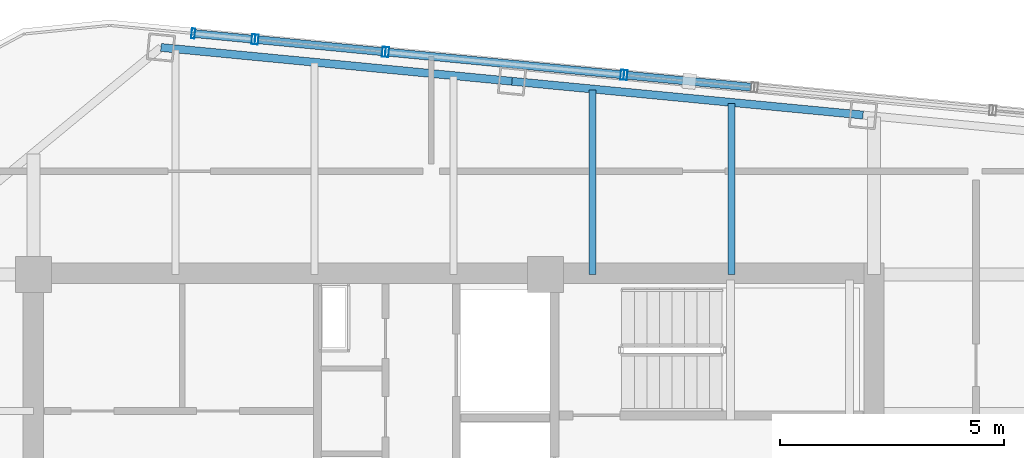
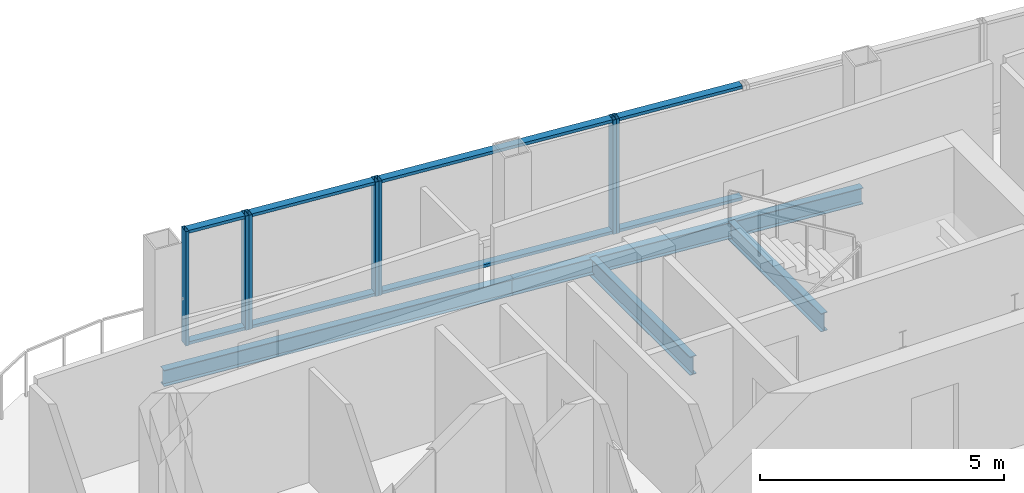
# One storey, part 17 of 26: 15 members, 4 beams, 4 elements without a shape of their own.
"""IFC4 building model written with IfcOpenShell, lengths in metres."""

from ifc_helpers import new_model, si_unit, direction, frame, origin, origin_2d, place, context, subcontext, project, spatial, hollow_rectangle, i_section, extrude, material, layer, layer_set, material_profile, profile_set, type_object, element, aggregate, save


model = new_model("IFC4")

# Units and contexts
model_context = context("Model", 3, precision=1e-05, world=origin(), true_north=direction((0.0, 1.0)))
body_context = subcontext(model_context, "Body", "Model", "MODEL_VIEW")
ifc_project = project(units=[si_unit("LENGTHUNIT", "METRE"), si_unit("AREAUNIT", "SQUARE_METRE"), si_unit("VOLUMEUNIT", "CUBIC_METRE"), si_unit("PLANEANGLEUNIT", "RADIAN"), si_unit("MASSUNIT", "GRAM", prefix="KILO")], contexts=[model_context])

# Site, building, storey
site_placement = place(None, origin())
site = spatial("IfcSite", under=ifc_project, at=site_placement, CompositionType="ELEMENT")
building_placement = place(site_placement, origin())
building = spatial("IfcBuilding", under=site, at=building_placement, Name="Qhalaya Broadcast Tower", CompositionType="ELEMENT")
storey_placement = place(building_placement, frame((0.0, 0.0, 248.949951171875)))
storey = spatial("IfcBuildingStorey", under=building, at=storey_placement, Name="L73", CompositionType="ELEMENT", Elevation=248.949951171875)

# Beams
ifc_material_1 = material(Name="Structural Steel ASTM A992 Grade 50", Category="steel")
ifc_material_profile_1 = material_profile(ifc_material_1, i_section(OverallWidth=0.154052734375, OverallDepth=0.458984375, WebThickness=0.009033203125, FlangeThickness=0.015380859375, at=origin_2d()), Name="W18X46")
ifc_profile_set_1 = profile_set([ifc_material_profile_1], Name="Structural Steel ASTM A992 Grade 50")
beam_type_1 = type_object("IfcBeamType", Name="Composite Floor Joist J04", PredefinedType="JOIST", material=ifc_profile_set_1)
beam_1_placement = place(storey_placement, frame((3.10009765625, 9.949951171875, -0.41943359375), z_axis=(0.0, 1.0, 0.0), x_axis=(-1.0, 0.0, 0.0)))
element("IfcBeam", 1, at=beam_1_placement, inside=storey, type_object=beam_type_1, Name="L73 J04 L73-JNN4-1", PredefinedType="JOIST", context=body_context, shape_type="SweptSolid", body=[
    extrude(i_section(OverallWidth=0.154052734375, OverallDepth=0.458984375, WebThickness=0.009033203125, FlangeThickness=0.015380859375, at=origin_2d()), origin(), (0.0, 0.0, 1.0), 4.11328125),
])
beam_2_placement = place(storey_placement, frame((6.199951171875, 9.949951171875, -0.41943359375), z_axis=(0.0, 1.0, 0.0), x_axis=(-1.0, 0.0, 0.0)))
element("IfcBeam", 2, at=beam_2_placement, inside=storey, type_object=beam_type_1, Name="L73 J04 L73-JNN5-1", PredefinedType="JOIST", context=body_context, shape_type="SweptSolid", body=[
    extrude(i_section(OverallWidth=0.154052734375, OverallDepth=0.458984375, WebThickness=0.009033203125, FlangeThickness=0.015380859375, at=origin_2d()), origin(), (0.0, 0.0, 1.0), 3.814697265625),
])

# Curtain wall, member
ifc_material_2 = material(Name="Solar-Control Low-E Triple Glazing", Category="glass")
ifc_layer_1 = layer(ifc_material_2, 0.219970703125, Name="Solar-Control Low-E Triple Glazing")
ifc_layer_set_1 = layer_set([ifc_layer_1], Name="Solar-Control Low-E Triple Glazing")
curtain_wall_type_1 = type_object("IfcCurtainWallType", Name="High-Altitude Upper-Shaft Triple Low-E Curtain Wall CW-04", PredefinedType="NOTDEFINED", material=ifc_layer_set_1)
curtain_wall_1_placement = place(storey_placement, origin())
curtain_wall_1 = element("IfcCurtainWall", 3, at=curtain_wall_1_placement, inside=storey, type_object=curtain_wall_type_1, Name="L73 Unitised Curtain Wall L73-CW-N4", PredefinedType="NOTDEFINED")
ifc_material_3 = material(Name="Anodised Aluminium 6063-T6", Category="aluminium")
ifc_material_profile_2 = material_profile(ifc_material_3, hollow_rectangle(XDim=0.074951171875, YDim=0.219970703125, WallThickness=0.00390625, at=origin_2d()), Name="ALU-MUL 75x220x4")
ifc_profile_set_2 = profile_set([ifc_material_profile_2], Name="Anodised Aluminium 6063-T6")
member_type_1 = type_object("IfcMemberType", Name="Unitised Curtain-Wall Mullion M01", PredefinedType="MULLION", material=ifc_profile_set_2)
member_1_placement = place(storey_placement, frame((3.8359375, 14.394287109375, 0.0), z_axis=(0.0, 0.0, 1.0), x_axis=(-0.995397805992, 0.095829055234, 0.0)))
member_1 = element("IfcMember", 4, at=member_1_placement, type_object=member_type_1, Name="CW-04 mullion 2", PredefinedType="MULLION", context=body_context, shape_type="SweptSolid", body=[
    extrude(hollow_rectangle(XDim=0.074951171875, YDim=0.219970703125, WallThickness=0.00390625, at=origin_2d()), origin(), (0.0, 0.0, 1.0), 2.860107421875),
])

# Curtain wall, members
ifc_material_4 = material(Name="Fired Architectural Terracotta", Category="masonry")
ifc_layer_2 = layer(ifc_material_4, 0.219970703125, Name="Fired Architectural Terracotta")
ifc_layer_set_2 = layer_set([ifc_layer_2], Name="Fired Architectural Terracotta")
curtain_wall_type_2 = type_object("IfcCurtainWallType", Name="Block-Cap Unitised Terracotta Spandrel Wall CW-07", PredefinedType="NOTDEFINED", material=ifc_layer_set_2)
curtain_wall_2_placement = place(storey_placement, origin())
curtain_wall_2 = element("IfcCurtainWall", 5, at=curtain_wall_2_placement, inside=storey, type_object=curtain_wall_type_2, Name="L73 Unitised Curtain Wall L73-CW-N5", PredefinedType="NOTDEFINED")
member_2_placement = place(storey_placement, frame((3.76123046875, 14.4013671875, 0.0), z_axis=(0.0, 0.0, 1.0), x_axis=(-0.995396263968, 0.095845071223, 0.0)))
member_2 = element("IfcMember", 6, at=member_2_placement, type_object=member_type_1, Name="CW-07 mullion 1", PredefinedType="MULLION", context=body_context, shape_type="SweptSolid", body=[
    extrude(hollow_rectangle(XDim=0.074951171875, YDim=0.219970703125, WallThickness=0.00390625, at=origin_2d()), origin(), (0.0, 0.0, 1.0), 2.860107421875),
])
member_3_placement = place(storey_placement, frame((-1.482666015625, 14.90625, 0.0), z_axis=(0.0, 0.0, 1.0), x_axis=(-0.995396263968, 0.095845071223, 0.0)))
member_3 = element("IfcMember", 7, at=member_3_placement, type_object=member_type_1, Name="CW-07 mullion 2", PredefinedType="MULLION", context=body_context, shape_type="SweptSolid", body=[
    extrude(hollow_rectangle(XDim=0.074951171875, YDim=0.219970703125, WallThickness=0.00390625, at=origin_2d()), origin(), (0.0, 0.0, 1.0), 2.860107421875),
])

curtain_wall_3_placement = place(storey_placement, origin())
curtain_wall_3 = element("IfcCurtainWall", 8, at=curtain_wall_3_placement, inside=storey, type_object=curtain_wall_type_1, Name="L73 Unitised Curtain Wall L73-CW-N6", PredefinedType="NOTDEFINED")
member_4_placement = place(storey_placement, frame((-1.55712890625, 14.91357421875, 0.0), z_axis=(0.0, 0.0, 1.0), x_axis=(-0.995394978082, 0.095858424822, 0.0)))
member_4 = element("IfcMember", 9, at=member_4_placement, type_object=member_type_1, Name="CW-04 mullion 1", PredefinedType="MULLION", context=body_context, shape_type="SweptSolid", body=[
    extrude(hollow_rectangle(XDim=0.074951171875, YDim=0.219970703125, WallThickness=0.00390625, at=origin_2d()), origin(), (0.0, 0.0, 1.0), 2.860107421875),
])
member_5_placement = place(storey_placement, frame((-4.39208984375, 15.1865234375, 0.0), z_axis=(0.0, 0.0, 1.0), x_axis=(-0.995394978082, 0.095858424822, 0.0)))
member_5 = element("IfcMember", 10, at=member_5_placement, type_object=member_type_1, Name="CW-04 mullion 2", PredefinedType="MULLION", context=body_context, shape_type="SweptSolid", body=[
    extrude(hollow_rectangle(XDim=0.074951171875, YDim=0.219970703125, WallThickness=0.00390625, at=origin_2d()), origin(), (0.0, 0.0, 1.0), 2.860107421875),
])

curtain_wall_4_placement = place(storey_placement, origin())
curtain_wall_4 = element("IfcCurtainWall", 11, at=curtain_wall_4_placement, inside=storey, type_object=curtain_wall_type_2, Name="L73 Unitised Curtain Wall L73-CW-N7", PredefinedType="NOTDEFINED")
member_6_placement = place(storey_placement, frame((-4.466796875, 15.193603515625, 0.0), z_axis=(0.0, 0.0, 1.0), x_axis=(-0.995395360914, 0.095854449411, 0.0)))
member_6 = element("IfcMember", 12, at=member_6_placement, type_object=member_type_1, Name="CW-07 mullion 1", PredefinedType="MULLION", context=body_context, shape_type="SweptSolid", body=[
    extrude(hollow_rectangle(XDim=0.074951171875, YDim=0.219970703125, WallThickness=0.00390625, at=origin_2d()), origin(), (0.0, 0.0, 1.0), 2.860107421875),
])
member_7_placement = place(storey_placement, frame((-5.8076171875, 15.32275390625, 0.0), z_axis=(0.0, 0.0, 1.0), x_axis=(-0.995395360914, 0.095854449411, 0.0)))
member_7 = element("IfcMember", 13, at=member_7_placement, type_object=member_type_1, Name="CW-07 mullion 2", PredefinedType="MULLION", context=body_context, shape_type="SweptSolid", body=[
    extrude(hollow_rectangle(XDim=0.074951171875, YDim=0.219970703125, WallThickness=0.00390625, at=origin_2d()), origin(), (0.0, 0.0, 1.0), 2.860107421875),
])

# Member
ifc_material_profile_3 = material_profile(ifc_material_3, hollow_rectangle(XDim=0.074951171875, YDim=0.179931640625, WallThickness=0.00390625, at=origin_2d()), Name="ALU-TRN 75x180x4")
ifc_profile_set_3 = profile_set([ifc_material_profile_3], Name="Anodised Aluminium 6063-T6")
member_type_2 = type_object("IfcMemberType", Name="Unitised Curtain-Wall Transom T01", PredefinedType="USERDEFINED", material=ifc_profile_set_3)
member_8_placement = place(storey_placement, frame((6.63427734375, 14.124755859375, 0.03759765625), z_axis=(-0.995396442999, 0.095843211886, 0.0), x_axis=(0.0, 0.0, 1.0)))
member_8 = element("IfcMember", 14, at=member_8_placement, type_object=member_type_2, Name="CW-04 transom 1.1", ObjectType="TRANSOM", PredefinedType="USERDEFINED", context=body_context, shape_type="SweptSolid", body=[
    extrude(hollow_rectangle(XDim=0.074951171875, YDim=0.179931640625, WallThickness=0.00390625, at=origin_2d()), origin(), (0.0, 0.0, 1.0), 2.77392578125),
])

member_9_placement = place(storey_placement, frame((6.63427734375, 14.124755859375, 2.822509765625), z_axis=(-0.995396442999, 0.095843211886, 0.0), x_axis=(0.0, 0.0, 1.0)))
member_9 = element("IfcMember", 15, at=member_9_placement, type_object=member_type_2, Name="CW-04 transom 1.2", ObjectType="TRANSOM", PredefinedType="USERDEFINED", context=body_context, shape_type="SweptSolid", body=[
    extrude(hollow_rectangle(XDim=0.074951171875, YDim=0.179931640625, WallThickness=0.00390625, at=origin_2d()), origin(), (0.0, 0.0, 1.0), 2.77392578125),
])

aggregate(curtain_wall_1, [member_1, member_8, member_9])

member_10_placement = place(storey_placement, frame((3.723876953125, 14.405029296875, 0.03759765625), z_axis=(-0.99539497839, 0.095858421619, 0.0), x_axis=(0.0, 0.0, 1.0)))
member_10 = element("IfcMember", 16, at=member_10_placement, type_object=member_type_2, Name="CW-07 transom 1.1", ObjectType="TRANSOM", PredefinedType="USERDEFINED", context=body_context, shape_type="SweptSolid", body=[
    extrude(hollow_rectangle(XDim=0.074951171875, YDim=0.179931640625, WallThickness=0.00390625, at=origin_2d()), origin(), (0.0, 0.0, 1.0), 5.193115234375),
])

member_11_placement = place(storey_placement, frame((3.723876953125, 14.405029296875, 2.822509765625), z_axis=(-0.99539497839, 0.095858421619, 0.0), x_axis=(0.0, 0.0, 1.0)))
member_11 = element("IfcMember", 17, at=member_11_placement, type_object=member_type_2, Name="CW-07 transom 1.2", ObjectType="TRANSOM", PredefinedType="USERDEFINED", context=body_context, shape_type="SweptSolid", body=[
    extrude(hollow_rectangle(XDim=0.074951171875, YDim=0.179931640625, WallThickness=0.00390625, at=origin_2d()), origin(), (0.0, 0.0, 1.0), 5.193115234375),
])

aggregate(curtain_wall_2, [member_2, member_3, member_10, member_11])

member_12_placement = place(storey_placement, frame((-1.594482421875, 14.9169921875, 0.03759765625), z_axis=(-0.995393207476, 0.095876809034, 0.0), x_axis=(0.0, 0.0, 1.0)))
member_12 = element("IfcMember", 18, at=member_12_placement, type_object=member_type_2, Name="CW-04 transom 1.1", ObjectType="TRANSOM", PredefinedType="USERDEFINED", context=body_context, shape_type="SweptSolid", body=[
    extrude(hollow_rectangle(XDim=0.074951171875, YDim=0.179931640625, WallThickness=0.00390625, at=origin_2d()), origin(), (0.0, 0.0, 1.0), 2.77294921875),
])

member_13_placement = place(storey_placement, frame((-1.594482421875, 14.9169921875, 2.822509765625), z_axis=(-0.995393207476, 0.095876809034, 0.0), x_axis=(0.0, 0.0, 1.0)))
member_13 = element("IfcMember", 19, at=member_13_placement, type_object=member_type_2, Name="CW-04 transom 1.2", ObjectType="TRANSOM", PredefinedType="USERDEFINED", context=body_context, shape_type="SweptSolid", body=[
    extrude(hollow_rectangle(XDim=0.074951171875, YDim=0.179931640625, WallThickness=0.00390625, at=origin_2d()), origin(), (0.0, 0.0, 1.0), 2.77294921875),
])

aggregate(curtain_wall_3, [member_4, member_5, member_12, member_13])

member_14_placement = place(storey_placement, frame((-4.504150390625, 15.197265625, 0.03759765625), z_axis=(-0.995402696901, 0.095778238672, 0.0), x_axis=(0.0, 0.0, 1.0)))
member_14 = element("IfcMember", 20, at=member_14_placement, type_object=member_type_2, Name="CW-07 transom 1.1", ObjectType="TRANSOM", PredefinedType="USERDEFINED", context=body_context, shape_type="SweptSolid", body=[
    extrude(hollow_rectangle(XDim=0.074951171875, YDim=0.179931640625, WallThickness=0.00390625, at=origin_2d()), origin(), (0.0, 0.0, 1.0), 1.27197265625),
])

member_15_placement = place(storey_placement, frame((-4.504150390625, 15.197265625, 2.822509765625), z_axis=(-0.995402696901, 0.095778238672, 0.0), x_axis=(0.0, 0.0, 1.0)))
member_15 = element("IfcMember", 21, at=member_15_placement, type_object=member_type_2, Name="CW-07 transom 1.2", ObjectType="TRANSOM", PredefinedType="USERDEFINED", context=body_context, shape_type="SweptSolid", body=[
    extrude(hollow_rectangle(XDim=0.074951171875, YDim=0.179931640625, WallThickness=0.00390625, at=origin_2d()), origin(), (0.0, 0.0, 1.0), 1.27197265625),
])

aggregate(curtain_wall_4, [member_6, member_7, member_14, member_15])

# Beams
ifc_material_profile_4 = material_profile(ifc_material_1, i_section(OverallWidth=0.177978515625, OverallDepth=0.406005859375, WebThickness=0.0078125, FlangeThickness=0.0126953125, at=origin_2d()), Name="W16X40")
ifc_profile_set_4 = profile_set([ifc_material_profile_4], Name="Structural Steel ASTM A992 Grade 50")
beam_type_2 = type_object("IfcBeamType", Name="Upper Perimeter Spandrel Beam SP2", PredefinedType="SPANDREL", material=ifc_profile_set_4)
beam_3_placement = place(storey_placement, frame((9.132568359375, 13.50244140625, -0.39306640625), z_axis=(-0.995397308407, 0.095834223619, 0.0), x_axis=(-0.095834223619, -0.995397308407, 0.0)))
element("IfcBeam", 22, at=beam_3_placement, inside=storey, type_object=beam_type_2, Name="L73 SP2 L73-SPR-10", PredefinedType="SPANDREL", context=body_context, shape_type="SweptSolid", body=[
    extrude(i_section(OverallWidth=0.177978515625, OverallDepth=0.406005859375, WebThickness=0.0078125, FlangeThickness=0.0126953125, at=origin_2d()), origin(), (0.0, 0.0, 1.0), 7.86669921875),
])
beam_4_placement = place(storey_placement, frame((1.302001953125, 14.25634765625, -0.39306640625), z_axis=(-0.995394062251, 0.095867934346, 0.0), x_axis=(-0.095867934346, -0.995394062251, 0.0)))
element("IfcBeam", 23, at=beam_4_placement, inside=storey, type_object=beam_type_2, Name="L73 SP2 L73-SPR-11", PredefinedType="SPANDREL", context=body_context, shape_type="SweptSolid", body=[
    extrude(i_section(OverallWidth=0.177978515625, OverallDepth=0.406005859375, WebThickness=0.0078125, FlangeThickness=0.0126953125, at=origin_2d()), origin(), (0.0, 0.0, 1.0), 7.866455078125),
])

save(model, "model.ifc")
